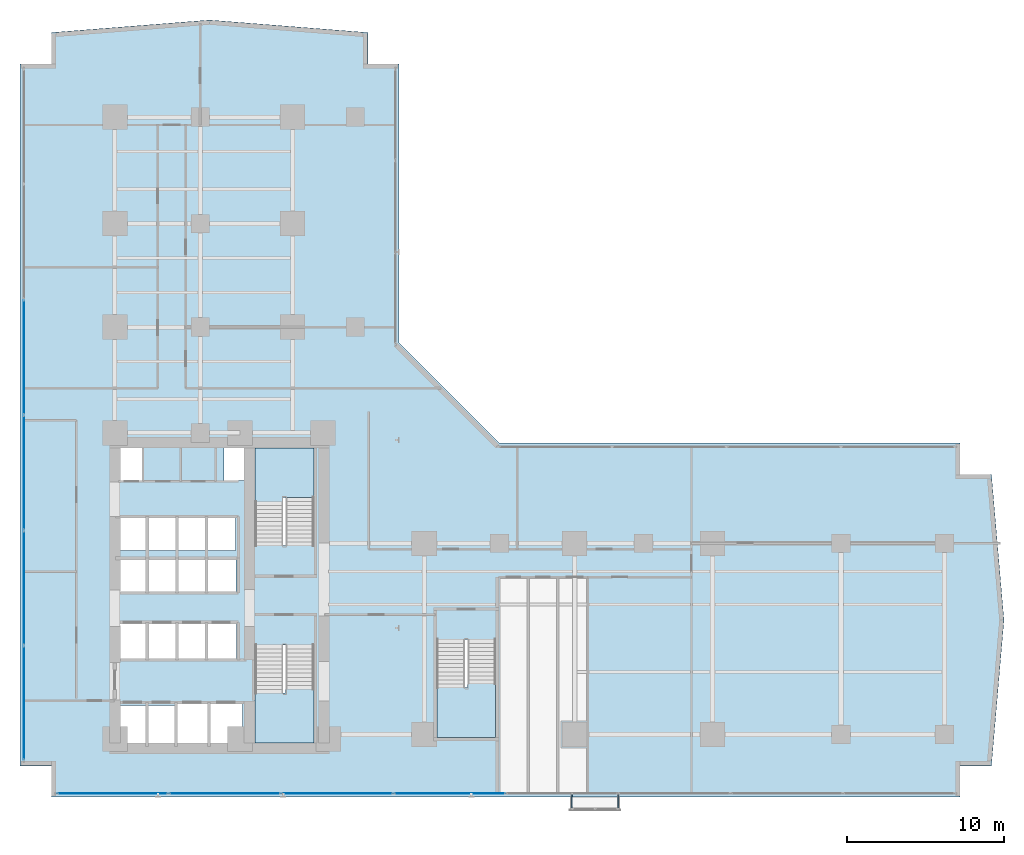
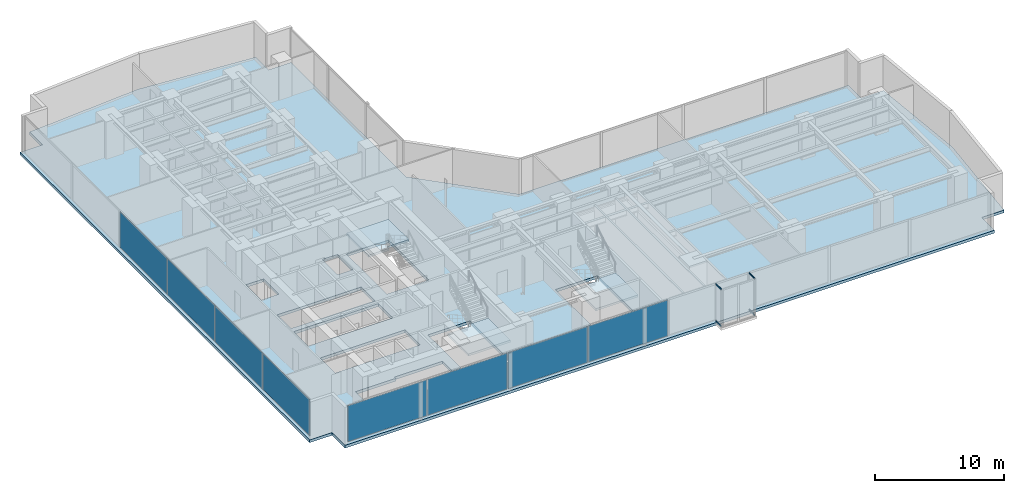
# One storey, part 20 of 28: 8 plates, 4 members, 4 slabs, 7 elements without a shape of their own.
"""IFC4 building model written with IfcOpenShell, lengths in metres."""

import ifcopenshell
import ifcopenshell.guid

model = None  # the IFC model being written
_history = None  # IfcOwnerHistory: only IFC2X3 demands one
_inside = {}  # id of a spatial element -> (the spatial element, [elements in it])
_under = {}  # id of a project, library or spatial element -> (it, [spatial elements below it])
_declared = {}  # id of a project -> (the project, [libraries it declares])
_typed = {}  # id of a type object -> (the type object, [elements of that type])
_made_of = {}  # id of a material, layer set ... -> (it, [elements and type objects made of it])


def new_model(schema):
    """Start an empty IFC model of exactly this schema.

    Asked for "IFC4X3", IfcOpenShell would pick the latest addendum, in which some entities
    have other attributes; the version numbers below select the first issue.
    IFC2X3 requires an IfcOwnerHistory on every rooted entity: one is made here for all.
    """
    global model, _history
    if schema == "IFC4X3":
        model = ifcopenshell.file(schema_version=(4, 3, 0, 0))
    else:
        model = ifcopenshell.file(schema=schema)
    _inside.clear()
    _under.clear()
    _declared.clear()
    _typed.clear()
    _made_of.clear()
    _history = None
    if model.schema == "IFC2X3":
        org = make("IfcOrganization", Name="unknown")
        user = make(
            "IfcPersonAndOrganization",
            ThePerson=make("IfcPerson", FamilyName="unknown"),
            TheOrganization=org,
        )
        app = make(
            "IfcApplication",
            ApplicationDeveloper=org,
            Version="unknown",
            ApplicationFullName="unknown",
            ApplicationIdentifier="unknown",
        )
        _history = make(
            "IfcOwnerHistory",
            OwningUser=user,
            OwningApplication=app,
            ChangeAction="ADDED",
            CreationDate=0,
        )
    return model


def make(cls, **values):
    """One entity of the class cls with the attributes given. An attribute that is None is left unset."""
    return model.create_entity(
        cls, **{name: value for name, value in values.items() if value is not None}
    )


def rooted(cls, **values):
    """An entity with a GlobalId (a new one), such as an element, a storey or a relation."""
    return make(cls, GlobalId=ifcopenshell.guid.new(), OwnerHistory=_history, **values)


def si_unit(unit_type, name, prefix=None):
    """IfcSIUnit, for example si_unit("LENGTHUNIT", "METRE", prefix="MILLI")."""
    return make("IfcSIUnit", UnitType=unit_type, Prefix=prefix, Name=name)


def assignment(units):
    """IfcUnitAssignment: the units of a project."""
    return None if units is None else make("IfcUnitAssignment", Units=units)


def point(xyz):
    """IfcCartesianPoint."""
    return None if xyz is None else make("IfcCartesianPoint", Coordinates=xyz)


def direction(xyz):
    """IfcDirection."""
    return None if xyz is None else make("IfcDirection", DirectionRatios=xyz)


def frame(location, z_axis=None, x_axis=None):
    """IfcAxis2Placement3D, a coordinate frame: its origin and axes. An axis left out is left unset."""
    return make(
        "IfcAxis2Placement3D",
        Location=point(location),
        Axis=direction(z_axis),
        RefDirection=direction(x_axis),
    )


def frame_2d(location, x_axis=None):
    """IfcAxis2Placement2D, a coordinate frame in the plane: its origin and x axis."""
    return make(
        "IfcAxis2Placement2D", Location=point(location), RefDirection=direction(x_axis)
    )


def origin():
    """The frame at (0, 0, 0) with its axes left unset."""
    return frame((0.0, 0.0, 0.0))


def origin_with_axes():
    """The frame at (0, 0, 0) with the z axis (0, 0, 1) and the x axis (1, 0, 0) written out."""
    return frame((0.0, 0.0, 0.0), z_axis=(0.0, 0.0, 1.0), x_axis=(1.0, 0.0, 0.0))


def origin_2d():
    """The frame at (0, 0) in the plane with its x axis left unset."""
    return frame_2d((0.0, 0.0))


def place(relative_to, where):
    """IfcLocalPlacement: puts the frame where relative to a parent placement (None: the world)."""
    return make(
        "IfcLocalPlacement", PlacementRelTo=relative_to, RelativePlacement=where
    )


def context(
    kind, dimensions, precision=None, world=None, true_north=None, identifier=None
):
    """IfcGeometricRepresentationContext, for example the 3D "Model" context."""
    return make(
        "IfcGeometricRepresentationContext",
        ContextIdentifier=identifier,
        ContextType=kind,
        CoordinateSpaceDimension=dimensions,
        Precision=precision,
        WorldCoordinateSystem=world,
        TrueNorth=true_north,
    )


def subcontext(parent, identifier, kind, view, scale=None):
    """IfcGeometricRepresentationSubContext, for example "Body" below "Model"."""
    return make(
        "IfcGeometricRepresentationSubContext",
        ContextIdentifier=identifier,
        ContextType=kind,
        ParentContext=parent,
        TargetScale=scale,
        TargetView=view,
    )


def project(units=None, contexts=None):
    """IfcProject with its units and contexts."""
    return rooted(
        "IfcProject",
        Name="project",
        RepresentationContexts=contexts,
        UnitsInContext=assignment(units),
    )


def spatial(cls, under=None, at=None, **own):
    """A site, building, storey or space (cls), placed at a placement, below another one or the project."""
    s = rooted(cls, ObjectPlacement=at, **own)
    if under is not None:
        _under.setdefault(under.id(), (under, []))[1].append(s)
    return s


def polyline(points):
    """IfcPolyline through the points."""
    return make("IfcPolyline", Points=[point(p) for p in points])


def profile(cls, at=None, kind="AREA", **sizes):
    """A parametric profile (cls). Its sizes go by their IFC names, for example OverallWidth=200.0."""
    return make(cls, ProfileType=kind, Position=at, **sizes)


def rectangle(**sizes):
    """IfcRectangleProfileDef."""
    return profile("IfcRectangleProfileDef", **sizes)


def hollow_rectangle(**sizes):
    """IfcRectangleHollowProfileDef."""
    return profile("IfcRectangleHollowProfileDef", **sizes)


def outline(outer, holes=None, kind="AREA"):
    """IfcArbitraryClosedProfileDef: a profile drawn as a closed curve; with holes, ...WithVoids."""
    if holes is None:
        return make("IfcArbitraryClosedProfileDef", ProfileType=kind, OuterCurve=outer)
    return make(
        "IfcArbitraryProfileDefWithVoids",
        ProfileType=kind,
        OuterCurve=outer,
        InnerCurves=holes,
    )


def extrude(swept, where, along, depth):
    """IfcExtrudedAreaSolid: the profile swept, set in the frame where, extruded along a direction by depth."""
    return make(
        "IfcExtrudedAreaSolid",
        SweptArea=swept,
        Position=where,
        ExtrudedDirection=direction(along),
        Depth=depth,
    )


def shape(context_of_items, identifier, shape_type, items):
    """IfcShapeRepresentation: the items that make up one representation, for example the "Body"."""
    return make(
        "IfcShapeRepresentation",
        ContextOfItems=context_of_items,
        RepresentationIdentifier=identifier,
        RepresentationType=shape_type,
        Items=items,
    )


def source(mapping_origin, context_of_items, identifier, shape_type, items):
    """IfcRepresentationMap: a shape defined once, which mapped items show again and again."""
    return make(
        "IfcRepresentationMap",
        MappingOrigin=mapping_origin,
        MappedRepresentation=shape(context_of_items, identifier, shape_type, items),
    )


def transform(
    local_origin,
    x_axis=None,
    y_axis=None,
    z_axis=None,
    scale=None,
    scale2=None,
    scale3=None,
    uniform=True,
):
    """IfcCartesianTransformationOperator3D, or its non-uniform kind. x_axis, y_axis, z_axis: its Axis1, 2, 3."""
    if uniform:
        return make(
            "IfcCartesianTransformationOperator3D",
            Axis1=direction(x_axis),
            Axis2=direction(y_axis),
            LocalOrigin=point(local_origin),
            Scale=scale,
            Axis3=direction(z_axis),
        )
    return make(
        "IfcCartesianTransformationOperator3DnonUniform",
        Axis1=direction(x_axis),
        Axis2=direction(y_axis),
        LocalOrigin=point(local_origin),
        Scale=scale,
        Axis3=direction(z_axis),
        Scale2=scale2,
        Scale3=scale3,
    )


def mapped(mapping_source, mapping_target):
    """IfcMappedItem: shows the shape of a source again, moved by a transform."""
    return make(
        "IfcMappedItem", MappingSource=mapping_source, MappingTarget=mapping_target
    )


def material(Name=None, Category=None):
    """IfcMaterial."""
    return make("IfcMaterial", Name=Name, Category=Category)


def layer(
    of_material, thickness, ventilated=None, Name=None, Category=None, Priority=None
):
    """IfcMaterialLayer: one layer of a wall or slab, of a material (None: an air gap)."""
    return make(
        "IfcMaterialLayer",
        Material=of_material,
        LayerThickness=thickness,
        IsVentilated=ventilated,
        Name=Name,
        Category=Category,
        Priority=Priority,
    )


def layer_set(layers, Name=None):
    """IfcMaterialLayerSet."""
    return make("IfcMaterialLayerSet", MaterialLayers=layers, LayerSetName=Name)


def material_profile(
    of_material, cross_section, Name=None, Category=None, Priority=None
):
    """IfcMaterialProfile: a cross section and its material."""
    return make(
        "IfcMaterialProfile",
        Name=Name,
        Material=of_material,
        Profile=cross_section,
        Priority=Priority,
        Category=Category,
    )


def profile_set(profiles, Name=None, composite=None):
    """IfcMaterialProfileSet."""
    return make(
        "IfcMaterialProfileSet",
        Name=Name,
        MaterialProfiles=profiles,
        CompositeProfile=composite,
    )


def made_of(thing, what):
    """Note that an element or type object is made of a material, layer set ...; save() writes the relation."""
    if what is not None:
        _made_of.setdefault(what.id(), (what, []))[1].append(thing)
    return thing


def type_object(cls, material=None, **own):
    """A type object (cls), such as IfcWallType, which elements share."""
    return made_of(rooted(cls, **own), material)


def element(
    cls,
    number,
    at=None,
    inside=None,
    cuts=None,
    type_object=None,
    material=None,
    context=None,
    identifier="Body",
    shape_type=None,
    held_by="IfcProductDefinitionShape",
    body=None,
    shapes=None,
    **own,
):
    """One element of the class cls, such as IfcWall. Its Tag is "e" and its number.

    at: its placement. inside: the storey or other place that contains it. cuts: it is an
    opening in that element (IfcRelVoidsElement). A single representation is given by context,
    identifier, shape_type and body (its items); several are given by shapes. held_by: the class
    of the entity that holds the representations. save() writes the other relations.
    """
    e = rooted(cls, Tag="e%d" % number, ObjectPlacement=at, **own)
    if body is not None:
        shapes = [shape(context, identifier, shape_type, body)]
    if shapes is not None:
        e.Representation = make(held_by, Representations=shapes)
    if inside is not None:
        _inside.setdefault(inside.id(), (inside, []))[1].append(e)
    if cuts is not None:
        rooted(
            "IfcRelVoidsElement", RelatingBuildingElement=cuts, RelatedOpeningElement=e
        )
    if type_object is not None:
        _typed.setdefault(type_object.id(), (type_object, []))[1].append(e)
    return made_of(e, material)


def aggregate(whole, parts):
    """IfcRelAggregates: a whole, such as a stair, and the parts it consists of."""
    return rooted("IfcRelAggregates", RelatingObject=whole, RelatedObjects=parts)


def save(model, path):
    """Write the relations noted so far, then the file.

    IfcRelAggregates (storeys below a building ...), IfcRelContainedInSpatialStructure (elements
    in a storey), IfcRelDefinesByType, IfcRelAssociatesMaterial and IfcRelDeclares: one each for
    every whole, place, type object, material and project.
    """
    for whole, parts in _under.values():
        aggregate(whole, parts)
    for where, things in _inside.values():
        rooted(
            "IfcRelContainedInSpatialStructure",
            RelatedElements=things,
            RelatingStructure=where,
        )
    for kind, things in _typed.values():
        rooted("IfcRelDefinesByType", RelatedObjects=things, RelatingType=kind)
    for what, things in _made_of.values():
        rooted("IfcRelAssociatesMaterial", RelatedObjects=things, RelatingMaterial=what)
    for by, libraries in _declared.values():
        rooted("IfcRelDeclares", RelatingContext=by, RelatedDefinitions=libraries)
    model.write(path)


model = new_model("IFC4")

# Units and contexts
model_context = context("Model", 3, precision=1e-05, world=origin(), true_north=direction((0.0, 1.0)))
body_context = subcontext(model_context, "Body", "Model", "MODEL_VIEW")
ifc_project = project(units=[si_unit("LENGTHUNIT", "METRE"), si_unit("AREAUNIT", "SQUARE_METRE"), si_unit("VOLUMEUNIT", "CUBIC_METRE"), si_unit("PLANEANGLEUNIT", "RADIAN"), si_unit("MASSUNIT", "GRAM", prefix="KILO")], contexts=[model_context])

# Site, building, storey
site_placement = place(None, origin())
site = spatial("IfcSite", under=ifc_project, at=site_placement, CompositionType="ELEMENT")
building_placement = place(site_placement, origin())
building = spatial("IfcBuilding", under=site, at=building_placement, Name="Kolvaren Waterfront Exchange", CompositionType="ELEMENT")
storey_placement = place(building_placement, frame((0.0, 0.0, 41.0)))
storey = spatial("IfcBuildingStorey", under=building, at=storey_placement, Name="L10", CompositionType="ELEMENT", Elevation=41.0)

# Curtain wall, members
ifc_material_1 = material(Name="Anodised bronze aluminium 6063-T6", Category="aluminium")
ifc_layer_1 = layer(ifc_material_1, 0.219970703125, Name="Anodised bronze aluminium 6063-T6")
ifc_layer_set_1 = layer_set([ifc_layer_1], Name="Anodised bronze aluminium 6063-T6")
curtain_wall_type_1 = type_object("IfcCurtainWallType", Name="ARC-CW-SYS3", PredefinedType="USERDEFINED", material=ifc_layer_set_1)
curtain_wall_1_placement = place(storey_placement, origin())
curtain_wall_1 = element("IfcCurtainWall", 1, at=curtain_wall_1_placement, inside=storey, type_object=curtain_wall_type_1, Name="L10 stick curtain wall CW3 (CW-L10-BOX-W)", ObjectType="STICK CURTAIN WALL", PredefinedType="USERDEFINED")
ifc_material_profile = material_profile(ifc_material_1, hollow_rectangle(XDim=0.06494140625, YDim=0.1298828125, WallThickness=0.00390625, at=origin_2d()), Name="ALU-TRN-130x65x4")
ifc_profile_set = profile_set([ifc_material_profile], Name="Anodised bronze aluminium 6063-T6")
member_type = type_object("IfcMemberType", Name="ARC-CWT-130", PredefinedType="USERDEFINED", material=ifc_profile_set)
shared_shape_1 = source(origin_with_axes(), body_context, "Body", "SweptSolid", [
    extrude(hollow_rectangle(XDim=0.06494140625, YDim=0.1298828125, WallThickness=0.00390625, at=origin_2d()), origin(), (0.0, 0.0, 1.0), 0.830078125),
])
member_1_placement = place(storey_placement, frame((36.610107421875, 1.364990234375, 0.032470703125), z_axis=(0.0, -1.0, 0.0), x_axis=(1.0, 0.0, 0.0)))
member_1 = element("IfcMember", 2, at=member_1_placement, type_object=member_type, Name="CW3 transom 1.1", ObjectType="TRANSOM", PredefinedType="USERDEFINED", context=body_context, shape_type="MappedRepresentation", body=[
    mapped(shared_shape_1, transform((0.0, 0.0, 0.0), x_axis=(1.0, 0.0, 0.0), y_axis=(0.0, 1.0, 0.0), z_axis=(0.0, 0.0, 1.0), scale=1.0)),
])
member_2_placement = place(storey_placement, frame((36.610107421875, 1.364990234375, 3.507568359375), z_axis=(0.0, -1.0, 0.0), x_axis=(1.0, 0.0, 0.0)))
member_2 = element("IfcMember", 3, at=member_2_placement, type_object=member_type, Name="CW3 transom 1.2", ObjectType="TRANSOM", PredefinedType="USERDEFINED", context=body_context, shape_type="MappedRepresentation", body=[
    mapped(shared_shape_1, transform((0.0, 0.0, 0.0), x_axis=(1.0, 0.0, 0.0), y_axis=(0.0, 1.0, 0.0), z_axis=(0.0, 0.0, 1.0), scale=1.0)),
])
aggregate(curtain_wall_1, [member_1, member_2])

curtain_wall_2_placement = place(storey_placement, origin())
curtain_wall_2 = element("IfcCurtainWall", 4, at=curtain_wall_2_placement, inside=storey, type_object=curtain_wall_type_1, Name="L10 stick curtain wall CW3 (CW-L10-BOX-E)", ObjectType="STICK CURTAIN WALL", PredefinedType="USERDEFINED")
member_3_placement = place(storey_placement, frame((39.590087890625, 0.534912109375, 0.032470703125), z_axis=(0.0, 1.0, 0.0), x_axis=(-1.0, 0.0, 0.0)))
member_3 = element("IfcMember", 5, at=member_3_placement, type_object=member_type, Name="CW3 transom 1.1", ObjectType="TRANSOM", PredefinedType="USERDEFINED", context=body_context, shape_type="MappedRepresentation", body=[
    mapped(shared_shape_1, transform((0.0, 0.0, 0.0), x_axis=(1.0, 0.0, 0.0), y_axis=(0.0, 1.0, 0.0), z_axis=(0.0, 0.0, 1.0), scale=1.0)),
])
member_4_placement = place(storey_placement, frame((39.590087890625, 0.534912109375, 3.507568359375), z_axis=(0.0, 1.0, 0.0), x_axis=(-1.0, 0.0, 0.0)))
member_4 = element("IfcMember", 6, at=member_4_placement, type_object=member_type, Name="CW3 transom 1.2", ObjectType="TRANSOM", PredefinedType="USERDEFINED", context=body_context, shape_type="MappedRepresentation", body=[
    mapped(shared_shape_1, transform((0.0, 0.0, 0.0), x_axis=(1.0, 0.0, 0.0), y_axis=(0.0, 1.0, 0.0), z_axis=(0.0, 0.0, 1.0), scale=1.0)),
])
aggregate(curtain_wall_2, [member_3, member_4])

# Stair, slab
ifc_material_2 = material(Name="Concrete C40/50", Category="concrete")
stair_type = type_object("IfcStairType", Name="ARC-STAIR-3800", PredefinedType="HALF_TURN_STAIR", material=ifc_material_2)
stair_1_placement = place(storey_placement, origin())
stair_1 = element("IfcStair", 7, at=stair_1_placement, inside=storey, type_object=stair_type, Name="L10 Smoke-proof exit stair ST1", PredefinedType="HALF_TURN_STAIR")
ifc_layer_2 = layer(ifc_material_2, 0.199951171875, Name="Concrete C40/50")
ifc_layer_set_2 = layer_set([ifc_layer_2], Name="Concrete C40/50")
slab_type_1 = type_object("IfcSlabType", Name="STR-LANDING-200", PredefinedType="LANDING", material=ifc_layer_set_2)
slab_1_placement = place(storey_placement, frame((0.0, 0.0, 1.77587890625)))
slab_1 = element("IfcSlab", 8, at=slab_1_placement, type_object=slab_type_1, Name="ST1 landing 1", PredefinedType="LANDING", context=body_context, shape_type="SweptSolid", body=[
    extrude(outline(polyline([(16.39990234375, 7.840087890625), (16.39990234375, 4.64990234375), (20.159912109375, 4.64990234375), (20.159912109375, 8.10009765625), (18.360107421875, 8.10009765625), (18.360107421875, 7.840087890625), (16.39990234375, 7.840087890625)])), origin(), (0.0, 0.0, 1.0), 0.2001953125),
])
aggregate(stair_1, [slab_1])

stair_2_placement = place(storey_placement, origin())
stair_2 = element("IfcStair", 9, at=stair_2_placement, inside=storey, type_object=stair_type, Name="L10 Smoke-proof exit stair ST2", PredefinedType="HALF_TURN_STAIR")
slab_2_placement = place(storey_placement, frame((0.0, 0.0, 1.77587890625)))
slab_2 = element("IfcSlab", 10, at=slab_2_placement, type_object=slab_type_1, Name="ST2 landing 1", PredefinedType="LANDING", context=body_context, shape_type="SweptSolid", body=[
    extrude(outline(polyline([(20.159912109375, 20.31005859375), (20.159912109375, 23.5), (16.39990234375, 23.5), (16.39990234375, 20.050048828125), (18.199951171875, 20.050048828125), (18.199951171875, 20.31005859375), (20.159912109375, 20.31005859375)])), origin(), (0.0, 0.0, 1.0), 0.2001953125),
])
aggregate(stair_2, [slab_2])

stair_3_placement = place(storey_placement, origin())
stair_3 = element("IfcStair", 11, at=stair_3_placement, inside=storey, type_object=stair_type, Name="L10 Exit stair ST3", PredefinedType="HALF_TURN_STAIR")
slab_3_placement = place(storey_placement, frame((0.0, 0.0, 1.77587890625)))
slab_3 = element("IfcSlab", 12, at=slab_3_placement, type_object=slab_type_1, Name="ST3 landing 1", PredefinedType="LANDING", context=body_context, shape_type="SweptSolid", body=[
    extrude(outline(polyline([(28.0, 8.18994140625), (28.0, 5.0), (31.760009765625, 5.0), (31.760009765625, 8.449951171875), (29.9599609375, 8.449951171875), (29.9599609375, 8.18994140625), (28.0, 8.18994140625)])), origin(), (0.0, 0.0, 1.0), 0.2001953125),
])
aggregate(stair_3, [slab_3])

# Slab
ifc_layer_3 = layer(ifc_material_2, 0.260009765625, Name="Concrete C40/50")
ifc_layer_set_3 = layer_set([ifc_layer_3], Name="Concrete C40/50")
slab_type_2 = type_object("IfcSlabType", Name="STR-SLAB-260", PredefinedType="FLOOR", material=ifc_layer_set_3)
slab_4_placement = place(storey_placement, frame((0.0, 0.0, -0.260009765625)))
element("IfcSlab", 13, at=slab_4_placement, inside=storey, type_object=slab_type_2, Name="L10 structural floor slab", PredefinedType="FLOOR", context=body_context, shape_type="SweptSolid", body=[
    extrude(outline(polyline([(3.39990234375, 1.199951171875), (61.39990234375, 1.199951171875), (61.39990234375, 3.199951171875), (63.39990234375, 3.199951171875), (64.199951171875, 12.5), (63.39990234375, 21.800048828125), (61.39990234375, 21.800048828125), (61.39990234375, 23.800048828125), (32.0, 23.800048828125), (25.60009765625, 30.199951171875), (25.60009765625, 48.0), (23.60009765625, 48.0), (23.60009765625, 50.0), (13.5, 50.800048828125), (3.39990234375, 50.0), (3.39990234375, 48.0), (1.39990234375, 48.0), (1.39990234375, 3.199951171875), (3.39990234375, 3.199951171875), (3.39990234375, 1.199951171875)]), holes=[polyline([(11.320068359375, 7.260009765625), (15.610107421875, 7.260009765625), (15.610107421875, 4.5400390625), (7.719970703125, 4.5400390625), (7.719970703125, 7.06005859375), (11.320068359375, 7.06005859375), (11.320068359375, 7.260009765625)]), polyline([(20.159912109375, 4.64990234375), (16.39990234375, 4.64990234375), (16.39990234375, 10.89990234375), (20.159912109375, 10.89990234375), (20.159912109375, 4.64990234375)]), polyline([(31.760009765625, 5.0), (28.0, 5.0), (28.0, 11.25), (31.760009765625, 11.25), (31.760009765625, 5.0)]), polyline([(15.2099609375, 10.0400390625), (7.6201171875, 10.0400390625), (7.6201171875, 12.360107421875), (15.2099609375, 12.360107421875), (15.2099609375, 10.0400390625)]), polyline([(7.64501953125, 16.4599609375), (15.18505859375, 16.4599609375), (15.18505859375, 14.239990234375), (7.64501953125, 14.239990234375), (7.64501953125, 16.4599609375)]), polyline([(15.159912109375, 16.93994140625), (7.669921875, 16.93994140625), (7.669921875, 19.06005859375), (15.159912109375, 19.06005859375), (15.159912109375, 16.93994140625)]), polyline([(16.39990234375, 23.5), (20.159912109375, 23.5), (20.159912109375, 17.25), (16.39990234375, 17.25), (16.39990234375, 23.5)]), polyline([(7.60009765625, 23.780029296875), (9.179931640625, 23.780029296875), (9.179931640625, 21.419921875), (7.60009765625, 21.419921875), (7.60009765625, 23.780029296875)]), polyline([(15.800048828125, 23.780029296875), (15.800048828125, 21.419921875), (14.419921875, 21.419921875), (14.419921875, 23.780029296875), (15.800048828125, 23.780029296875)])]), origin(), (0.0, 0.0, 1.0), 0.260009765625),
])

# Curtain wall, plates
ifc_layer_4 = layer(ifc_material_1, 0.219970703125, Name="Anodised bronze aluminium 6063-T6")
ifc_layer_set_4 = layer_set([ifc_layer_4], Name="Anodised bronze aluminium 6063-T6")
curtain_wall_type_2 = type_object("IfcCurtainWallType", Name="ARC-CW-SYS1", PredefinedType="USERDEFINED", material=ifc_layer_set_4)
curtain_wall_3_placement = place(storey_placement, origin())
curtain_wall_3 = element("IfcCurtainWall", 14, at=curtain_wall_3_placement, inside=storey, type_object=curtain_wall_type_2, Name="L10 stick curtain wall CW1 (CW-L10-S)", ObjectType="STICK CURTAIN WALL", PredefinedType="USERDEFINED")
ifc_material_3 = material(Name="Bronze solar control vision glass", Category="aluminium")
ifc_layer_5 = layer(ifc_material_3, 0.028076171875, Name="Bronze solar control vision glass")
ifc_layer_set_5 = layer_set([ifc_layer_5], Name="Bronze solar control vision glass")
plate_type_1 = type_object("IfcPlateType", Name="ARC-CWP-28", PredefinedType="CURTAIN_PANEL", material=ifc_layer_set_5)
shared_shape_2 = source(origin_with_axes(), body_context, "Body", "SweptSolid", [
    extrude(rectangle(XDim=7.054931640625, YDim=0.028076171875, at=origin_2d()), origin(), (0.0, 0.0, 1.0), 3.389892578125),
])
plate_1_placement = place(storey_placement, frame((7.3076171875, 1.43994140625, 0.0751953125), z_axis=(0.0, 0.0, 1.0), x_axis=(1.0, 0.0, 0.0)))
plate_1 = element("IfcPlate", 15, at=plate_1_placement, type_object=plate_type_1, Name="CW1 panel 1.1", PredefinedType="CURTAIN_PANEL", context=body_context, shape_type="MappedRepresentation", body=[
    mapped(shared_shape_2, transform((0.0, 0.0, 0.0), x_axis=(1.0, 0.0, 0.0), y_axis=(0.0, 1.0, 0.0), z_axis=(0.0, 0.0, 1.0), scale=1.0)),
])
shared_shape_3 = source(origin_with_axes(), body_context, "Body", "SweptSolid", [
    extrude(rectangle(XDim=7.094970703125, YDim=0.028076171875, at=origin_2d()), origin(), (0.0, 0.0, 1.0), 3.389892578125),
])
plate_2_placement = place(storey_placement, frame((14.46240234375, 1.43994140625, 0.0751953125), z_axis=(0.0, 0.0, 1.0), x_axis=(1.0, 0.0, 0.0)))
plate_2 = element("IfcPlate", 16, at=plate_2_placement, type_object=plate_type_1, Name="CW1 panel 2.1", PredefinedType="CURTAIN_PANEL", context=body_context, shape_type="MappedRepresentation", body=[
    mapped(shared_shape_3, transform((0.0, 0.0, 0.0), x_axis=(1.0, 0.0, 0.0), y_axis=(0.0, 1.0, 0.0), z_axis=(0.0, 0.0, 1.0), scale=1.0)),
])
plate_3_placement = place(storey_placement, frame((21.637451171875, 1.43994140625, 0.0751953125), z_axis=(0.0, 0.0, 1.0), x_axis=(1.0, 0.0, 0.0)))
plate_3 = element("IfcPlate", 17, at=plate_3_placement, type_object=plate_type_1, Name="CW1 panel 3.1", PredefinedType="CURTAIN_PANEL", context=body_context, shape_type="MappedRepresentation", body=[
    mapped(shared_shape_3, transform((0.0, 0.0, 0.0), x_axis=(1.0, 0.0, 0.0), y_axis=(0.0, 1.0, 0.0), z_axis=(0.0, 0.0, 1.0), scale=1.0)),
])
plate_4_placement = place(storey_placement, frame((28.8125, 1.43994140625, 0.0751953125), z_axis=(0.0, 0.0, 1.0), x_axis=(1.0, 0.0, 0.0)))
plate_4 = element("IfcPlate", 18, at=plate_4_placement, type_object=plate_type_1, Name="CW1 panel 4.1", PredefinedType="CURTAIN_PANEL", context=body_context, shape_type="MappedRepresentation", body=[
    mapped(shared_shape_3, transform((0.0, 0.0, 0.0), x_axis=(1.0, 0.0, 0.0), y_axis=(0.0, 1.0, 0.0), z_axis=(0.0, 0.0, 1.0), scale=1.0)),
])
aggregate(curtain_wall_3, [plate_1, plate_2, plate_3, plate_4])

ifc_material_4 = material(Name="Anodised aluminium 6063-T6", Category="aluminium")
ifc_layer_6 = layer(ifc_material_4, 0.219970703125, Name="Anodised aluminium 6063-T6")
ifc_layer_set_6 = layer_set([ifc_layer_6], Name="Anodised aluminium 6063-T6")
curtain_wall_type_3 = type_object("IfcCurtainWallType", Name="ARC-CW-SYS2", PredefinedType="USERDEFINED", material=ifc_layer_set_6)
curtain_wall_4_placement = place(storey_placement, origin())
curtain_wall_4 = element("IfcCurtainWall", 19, at=curtain_wall_4_placement, inside=storey, type_object=curtain_wall_type_3, Name="L10 stick curtain wall CW2 (CW-L10-W)", ObjectType="STICK CURTAIN WALL", PredefinedType="USERDEFINED")
ifc_material_5 = material(Name="Acoustic laminated vision glass", Category="glass")
ifc_layer_7 = layer(ifc_material_5, 0.031982421875, Name="Acoustic laminated vision glass")
ifc_layer_set_7 = layer_set([ifc_layer_7], Name="Acoustic laminated vision glass")
plate_type_2 = type_object("IfcPlateType", Name="ARC-CWP-32", PredefinedType="CURTAIN_PANEL", material=ifc_layer_set_7)
shared_shape_4 = source(origin_with_axes(), body_context, "Body", "SweptSolid", [
    extrude(rectangle(XDim=7.24658203125, YDim=0.031982421875, at=origin_2d()), origin(), (0.0, 0.0, 1.0), 3.389892578125),
])
plate_5_placement = place(storey_placement, frame((1.639892578125, 7.203369140625, 0.0751953125), z_axis=(0.0, 0.0, 1.0), x_axis=(0.0, 1.0, 0.0)))
plate_5 = element("IfcPlate", 20, at=plate_5_placement, type_object=plate_type_2, Name="CW2 panel 1.1", PredefinedType="CURTAIN_PANEL", context=body_context, shape_type="MappedRepresentation", body=[
    mapped(shared_shape_4, transform((0.0, 0.0, 0.0), x_axis=(1.0, 0.0, 0.0), y_axis=(0.0, 1.0, 0.0), z_axis=(0.0, 0.0, 1.0), scale=1.0)),
])
shared_shape_5 = source(origin_with_axes(), body_context, "Body", "SweptSolid", [
    extrude(rectangle(XDim=7.28662109375, YDim=0.031982421875, at=origin_2d()), origin(), (0.0, 0.0, 1.0), 3.389892578125),
])
plate_6_placement = place(storey_placement, frame((1.639892578125, 14.550048828125, 0.0751953125), z_axis=(0.0, 0.0, 1.0), x_axis=(0.0, 1.0, 0.0)))
plate_6 = element("IfcPlate", 21, at=plate_6_placement, type_object=plate_type_2, Name="CW2 panel 2.1", PredefinedType="CURTAIN_PANEL", context=body_context, shape_type="MappedRepresentation", body=[
    mapped(shared_shape_5, transform((0.0, 0.0, 0.0), x_axis=(1.0, 0.0, 0.0), y_axis=(0.0, 1.0, 0.0), z_axis=(0.0, 0.0, 1.0), scale=1.0)),
])
plate_7_placement = place(storey_placement, frame((1.639892578125, 21.916748046875, 0.0751953125), z_axis=(0.0, 0.0, 1.0), x_axis=(0.0, 1.0, 0.0)))
plate_7 = element("IfcPlate", 22, at=plate_7_placement, type_object=plate_type_2, Name="CW2 panel 3.1", PredefinedType="CURTAIN_PANEL", context=body_context, shape_type="MappedRepresentation", body=[
    mapped(shared_shape_5, transform((0.0, 0.0, 0.0), x_axis=(1.0, 0.0, 0.0), y_axis=(0.0, 1.0, 0.0), z_axis=(0.0, 0.0, 1.0), scale=1.0)),
])
plate_8_placement = place(storey_placement, frame((1.639892578125, 29.283447265625, 0.0751953125), z_axis=(0.0, 0.0, 1.0), x_axis=(0.0, 1.0, 0.0)))
plate_8 = element("IfcPlate", 23, at=plate_8_placement, type_object=plate_type_2, Name="CW2 panel 4.1", PredefinedType="CURTAIN_PANEL", context=body_context, shape_type="MappedRepresentation", body=[
    mapped(shared_shape_5, transform((0.0, 0.0, 0.0), x_axis=(1.0, 0.0, 0.0), y_axis=(0.0, 1.0, 0.0), z_axis=(0.0, 0.0, 1.0), scale=1.0)),
])
aggregate(curtain_wall_4, [plate_5, plate_6, plate_7, plate_8])

save(model, "model.ifc")
